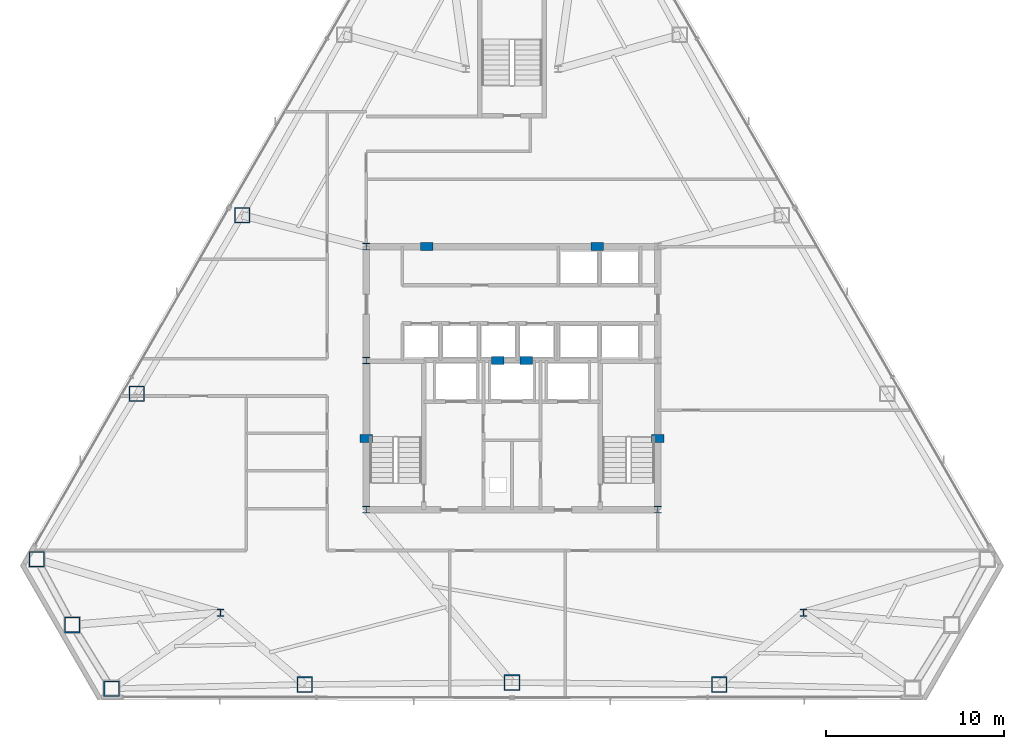
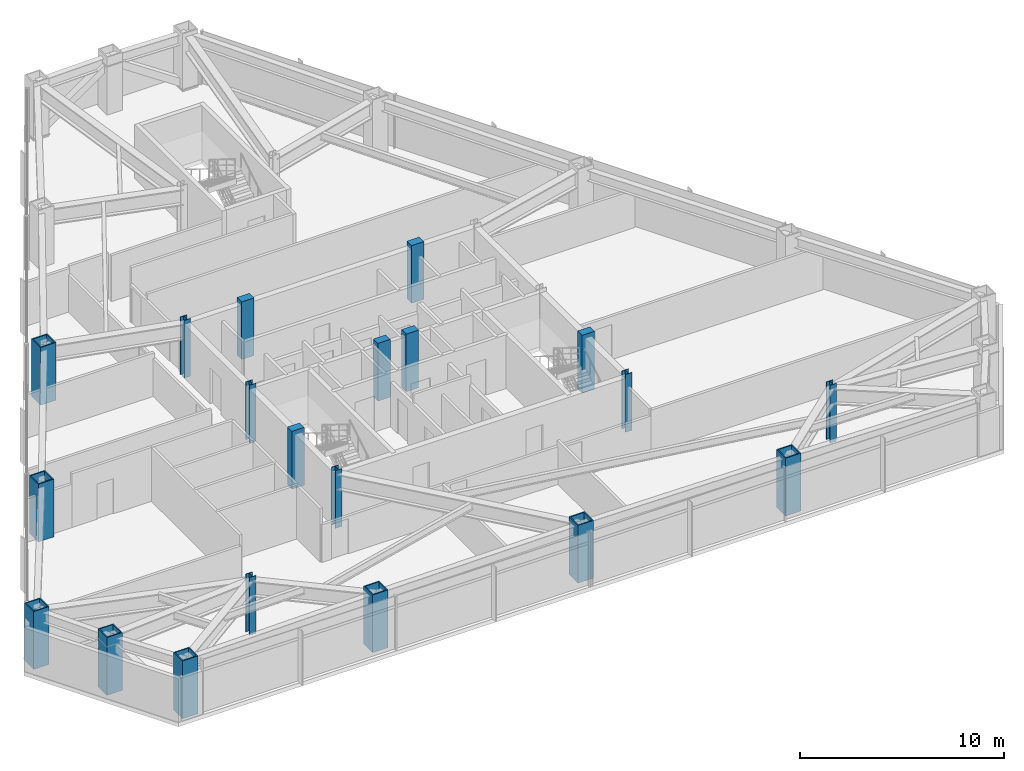
# One storey, part 1 of 12: 20 columns.
"""IFC4 building model written with IfcOpenShell, lengths in metres."""

from ifc_helpers import new_model, si_unit, direction, frame, origin, origin_2d, place, context, subcontext, project, spatial, rectangle, hollow_rectangle, i_section, extrude, material, material_profile, profile_set, type_object, element, save


model = new_model("IFC4")

# Units and contexts
model_context = context("Model", 3, precision=1e-05, world=origin(), true_north=direction((0.0, 1.0)))
body_context = subcontext(model_context, "Body", "Model", "MODEL_VIEW")
ifc_project = project(units=[si_unit("LENGTHUNIT", "METRE"), si_unit("AREAUNIT", "SQUARE_METRE"), si_unit("VOLUMEUNIT", "CUBIC_METRE"), si_unit("PLANEANGLEUNIT", "RADIAN"), si_unit("MASSUNIT", "GRAM", prefix="KILO")], contexts=[model_context])

# Site, building, storey
site_placement = place(None, origin())
site = spatial("IfcSite", under=ifc_project, at=site_placement, CompositionType="ELEMENT")
building_placement = place(site_placement, origin())
building = spatial("IfcBuilding", under=site, at=building_placement, Name="Varakhsha Concourse Tower", CompositionType="ELEMENT")
storey_placement = place(building_placement, frame((0.0, 0.0, 119.449951171875)))
storey = spatial("IfcBuildingStorey", under=building, at=storey_placement, Name="L34", CompositionType="ELEMENT", Elevation=119.449951171875)

# Columns
ifc_material_1 = material(Name="Structural Steel ASTM A992 Grade 50", Category="steel")
ifc_material_profile_1 = material_profile(ifc_material_1, i_section(OverallWidth=0.3740234375, OverallDepth=0.3720703125, WebThickness=0.01611328125, FlangeThickness=0.02587890625, at=origin_2d()), Name="W14X132")
ifc_profile_set_1 = profile_set([ifc_material_profile_1], Name="Structural Steel ASTM A992 Grade 50")
column_type_1 = type_object("IfcColumnType", Name="CL-CORE-W14X132", PredefinedType="COLUMN", material=ifc_profile_set_1)
for number, where, z_axis, x_axis, name in (
    (1, (31.800048828125, 16.39990234375, 0.0), (0.0, 0.0, 1.0), (1.0, 0.0, 0.0), "L34 Core Column CC-SW"),
    (2, (48.199951171875, 16.39990234375, 0.0), (0.0, 0.0, 1.0), (1.0, 0.0, 0.0), "L34 Core Column CC-SE"),
    (3, (31.800048828125, 24.800048828125, 0.0), (0.0, 0.0, 1.0), (1.0, 0.0, 0.0), "L34 Core Column CC-MW"),
    (4, (31.800048828125, 31.199951171875, 0.0), (0.0, 0.0, 1.0), (1.0, 0.0, 0.0), "L34 Core Column CC-NW"),
    (5, (23.60009765625, 10.60009765625, 0.0), (0.0, 0.0, 1.0), (1.0, 0.0, 0.0), "L34 Core Column SS-W"),
    (6, (56.39990234375, 10.60009765625, 0.0), (0.0, 0.0, 1.0), (1.0, 0.0, 0.0), "L34 Core Column SS-E"),
):
    element("IfcColumn", number, at=place(storey_placement, frame(where, z_axis=z_axis, x_axis=x_axis)), inside=storey, type_object=column_type_1, Name=name, PredefinedType="COLUMN", context=body_context, shape_type="SweptSolid", body=[
        extrude(i_section(OverallWidth=0.3740234375, OverallDepth=0.3720703125, WebThickness=0.01611328125, FlangeThickness=0.02587890625, at=origin_2d()), origin(), (0.0, 0.0, 1.0), 3.449951171875),
    ])
ifc_material_2 = material(Name="Concrete fc 65 MPa", Category="concrete")
ifc_material_profile_2 = material_profile(ifc_material_2, rectangle(XDim=0.699951171875, YDim=0.449951171875, at=origin_2d()), Name="RC 700x450")
ifc_profile_set_2 = profile_set([ifc_material_profile_2], Name="Concrete fc 65 MPa")
column_type_2 = type_object("IfcColumnType", Name="CL-PIL-700X450", PredefinedType="PILASTER", material=ifc_profile_set_2)
for number, where, z_axis, x_axis, name in (
    (7, (31.800048828125, 20.39990234375, 0.0), (0.0, 0.0, 1.0), (1.0, 0.0, 0.0), "L34 Core Boundary Pilaster PIL-W1"),
    (8, (48.199951171875, 20.39990234375, 0.0), (0.0, 0.0, 1.0), (1.0, 0.0, 0.0), "L34 Core Boundary Pilaster PIL-E1"),
    (9, (35.199951171875, 31.199951171875, 0.0), (0.0, 0.0, 1.0), (1.0, 0.0, 0.0), "L34 Core Boundary Pilaster PIL-N1"),
    (10, (44.800048828125, 31.199951171875, 0.0), (0.0, 0.0, 1.0), (1.0, 0.0, 0.0), "L34 Core Boundary Pilaster PIL-N2"),
    (11, (39.199951171875, 24.800048828125, 0.0), (0.0, 0.0, 1.0), (1.0, 0.0, 0.0), "L34 Core Boundary Pilaster PIL-M1"),
    (12, (40.800048828125, 24.800048828125, 0.0), (0.0, 0.0, 1.0), (1.0, 0.0, 0.0), "L34 Core Boundary Pilaster PIL-M2"),
):
    element("IfcColumn", number, at=place(storey_placement, frame(where, z_axis=z_axis, x_axis=x_axis)), inside=storey, type_object=column_type_2, Name=name, PredefinedType="PILASTER", context=body_context, shape_type="SweptSolid", body=[
        extrude(rectangle(XDim=0.699951171875, YDim=0.449951171875, at=origin_2d()), origin(), (0.0, 0.0, 1.0), 3.449951171875),
    ])
ifc_material_3 = material(Name="Structural Steel ASTM A572 Grade 50", Category="steel")
ifc_material_profile_3 = material_profile(ifc_material_3, hollow_rectangle(XDim=0.8798828125, YDim=0.8798828125, WallThickness=0.06005859375, at=origin_2d()), Name="BOX 880x880x60")
ifc_profile_set_3 = profile_set([ifc_material_profile_3], Name="Structural Steel ASTM A572 Grade 50")
column_type_3 = type_object("IfcColumnType", Name="CL-TUBE-880", PredefinedType="COLUMN", material=ifc_profile_set_3)
for number, where, z_axis, x_axis, name in (
    (13, (24.819580078125, 32.96435546875, 0.0), (0.0, 0.0, 1.0), (1.0, 0.0, 0.0), "L34 Framed-Tube Column TC05"),
    (14, (18.8916015625, 22.919921875, 0.0), (0.0, 0.0, 1.0), (1.0, 0.0, 0.0), "L34 Framed-Tube Column TC06"),
    (15, (13.255126953125, 13.619140625, 0.0), (0.0, 0.0, 1.0), (1.0, 0.0, 0.0), "L34 Framed-Tube Column TC07"),
    (16, (15.2548828125, 9.913330078125, 0.0), (0.0, 0.0, 1.0), (1.0, 0.0, 0.0), "L34 Framed-Tube Column TC08"),
    (17, (17.46435546875, 6.328857421875, 0.0), (0.0, 0.0, 1.0), (1.0, 0.0, 0.0), "L34 Framed-Tube Column TC09"),
    (18, (28.337158203125, 6.5595703125, 0.0), (0.0, 0.0, 1.0), (1.0, 0.0, 0.0), "L34 Framed-Tube Column TC10"),
    (19, (40.0, 6.67138671875, 0.0), (0.0, 0.0, 1.0), (1.0, 0.0, 0.0), "L34 Framed-Tube Column TC11"),
    (20, (51.662841796875, 6.5595703125, 0.0), (0.0, 0.0, 1.0), (1.0, 0.0, 0.0), "L34 Framed-Tube Column TC12"),
):
    element("IfcColumn", number, at=place(storey_placement, frame(where, z_axis=z_axis, x_axis=x_axis)), inside=storey, type_object=column_type_3, Name=name, PredefinedType="COLUMN", context=body_context, shape_type="SweptSolid", body=[
        extrude(hollow_rectangle(XDim=0.8798828125, YDim=0.8798828125, WallThickness=0.06005859375, at=origin_2d()), origin(), (0.0, 0.0, 1.0), 3.449951171875),
    ])

save(model, "model.ifc")
